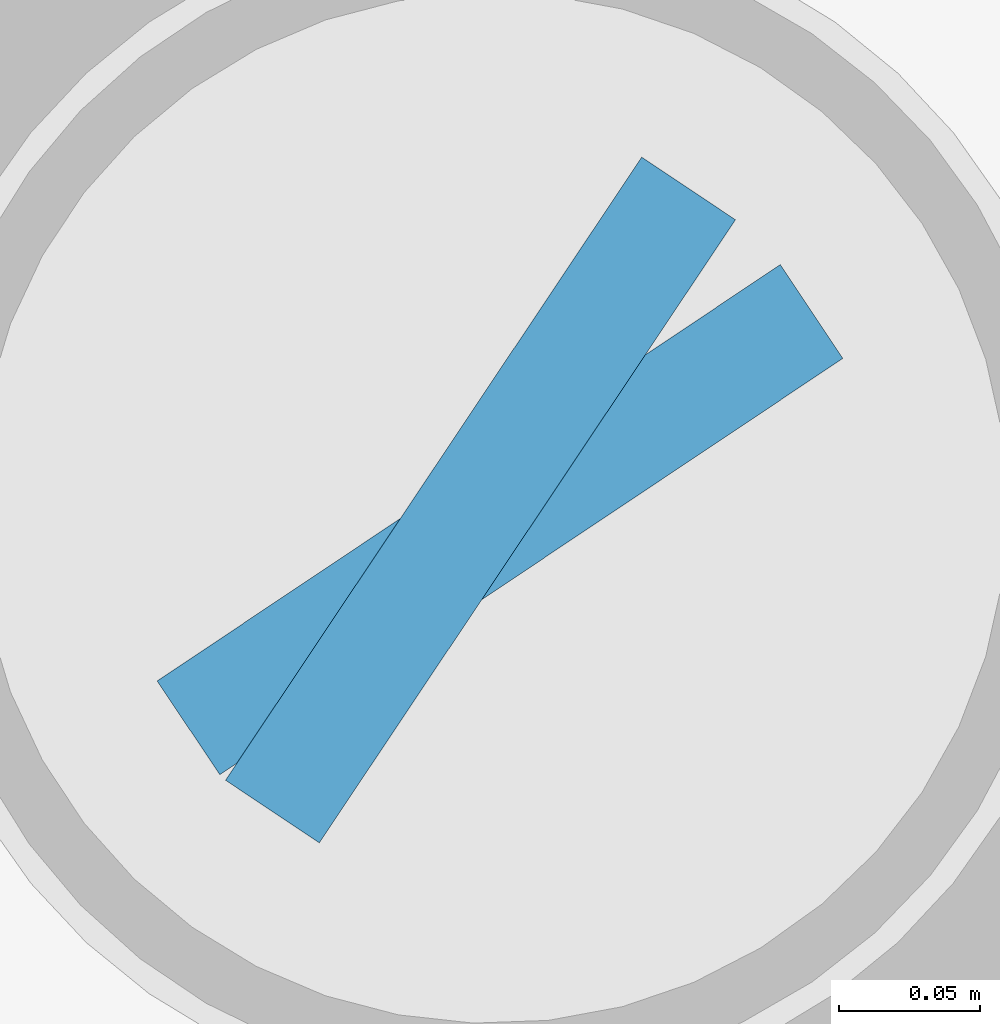
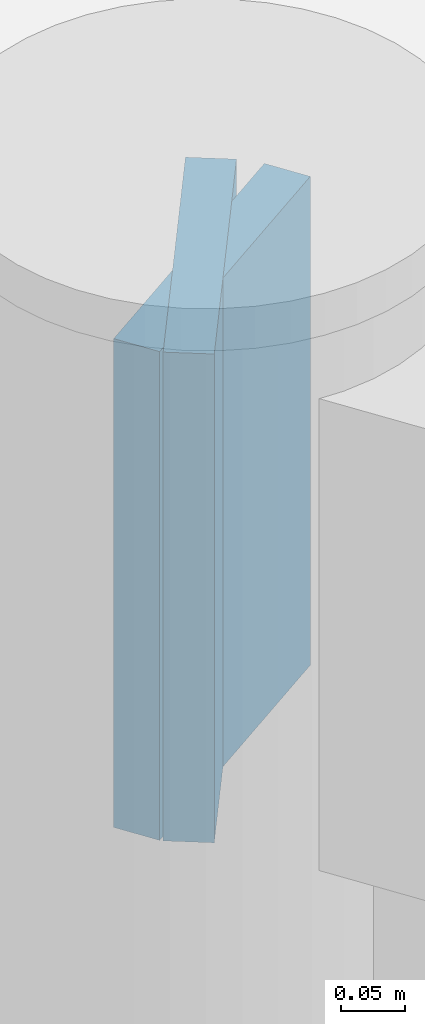
# One storey, part 133 of 160: 2 discrete accessories.
"""IFC4 building model written with IfcOpenShell, lengths in metres."""

from ifc_helpers import new_model, si_unit, direction, frame, origin, origin_2d, place, context, subcontext, project, spatial, rectangle, extrude, material, element, save


model = new_model("IFC4")

# Units and contexts
model_context = context("Model", 3, precision=1e-05, world=origin(), true_north=direction((0.0, 1.0)))
body_context = subcontext(model_context, "Body", "Model", "MODEL_VIEW")
ifc_project = project(units=[si_unit("LENGTHUNIT", "METRE"), si_unit("AREAUNIT", "SQUARE_METRE"), si_unit("VOLUMEUNIT", "CUBIC_METRE"), si_unit("PLANEANGLEUNIT", "RADIAN"), si_unit("MASSUNIT", "GRAM", prefix="KILO")], contexts=[model_context])

# Site, building, storey
site_placement = place(None, origin())
site = spatial("IfcSite", under=ifc_project, at=site_placement, CompositionType="ELEMENT")
building_placement = place(site_placement, origin())
building = spatial("IfcBuilding", under=site, at=building_placement, Name="Marlcrest Central Station", CompositionType="ELEMENT")
storey_placement = place(building_placement, origin())
storey = spatial("IfcBuildingStorey", under=building, at=storey_placement, Name="L00", CompositionType="ELEMENT", Elevation=0.0)

# Discrete accessories
ifc_material = material(Name="Steel S355", Category="steel")
for number, where, z_axis, x_axis, name in (
    (1, (122.828369140625, 125.363037109375, 4.294921875), (0.831508991937, -0.55551129271, 0.0), (0.55551129271, 0.831508991937, 0.0), "endcap-bm-SP-02-L00-01423-e"),
    (2, (122.8408203125, 125.361572265625, 4.294921875), (0.55551129271, -0.831508991937, 0.0), (0.831508991937, 0.55551129271, 0.0), "endcap-bm-SP-02-L00-01424-s"),
):
    element("IfcDiscreteAccessory", number, at=place(storey_placement, frame(where, z_axis=z_axis, x_axis=x_axis)), inside=storey, material=ifc_material, Name=name, ObjectType="END_CAP_PLATE", PredefinedType="BRACKET", context=body_context, shape_type="SweptSolid", body=[
        extrude(rectangle(XDim=0.26611328125, YDim=0.466064453125, at=origin_2d()), origin(), (0.0, 0.0, 1.0), 0.0400390625),
    ])

save(model, "model.ifc")
